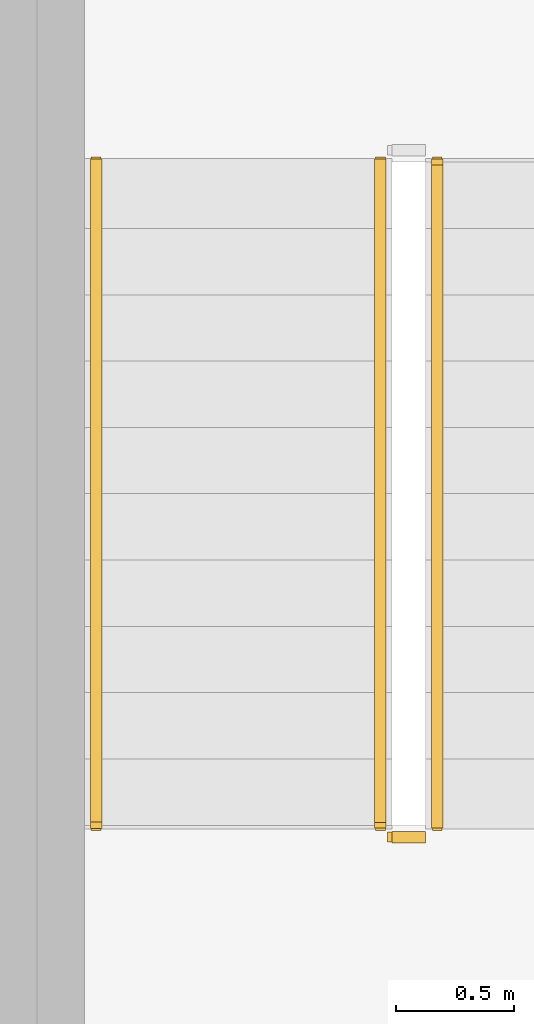
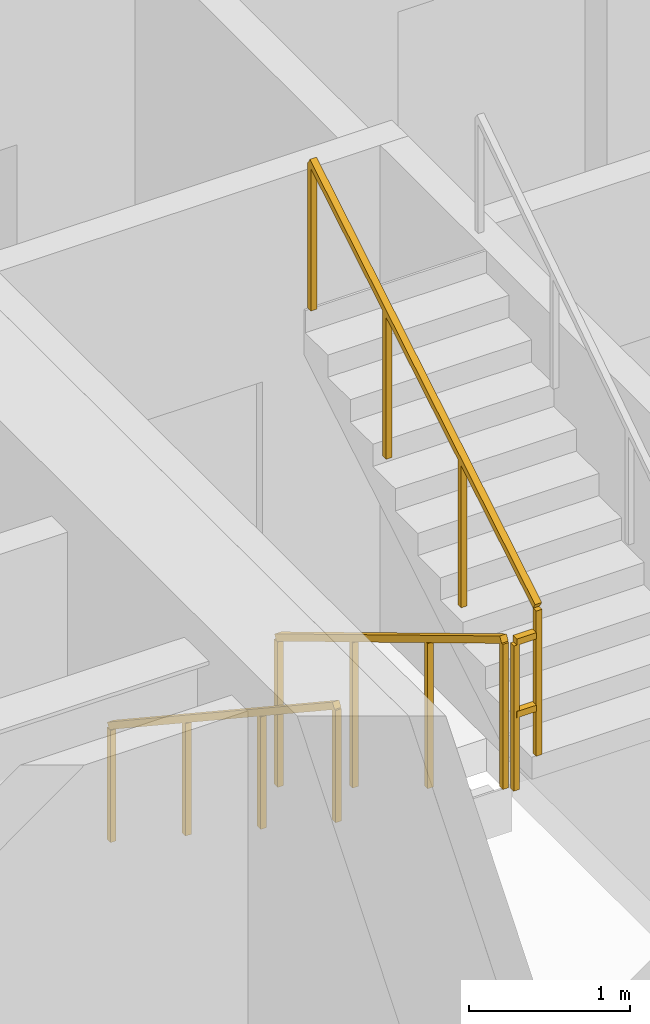
# One storey, part 14 of 18: 4 railings.
"""IFC4 building model written with IfcOpenShell, lengths in metres."""

from ifc_helpers import new_model, si_unit, derived_unit, direction, frame, origin, origin_2d, place, context, subcontext, project, spatial, rectangle, extrude, material, type_object, element, save


model = new_model("IFC4")

# Units and contexts
model_context = context("Model", 3, precision=1e-05, world=origin(), true_north=direction((0.0, 1.0)))
body_context = subcontext(model_context, "Body", "Model", "MODEL_VIEW")
ifc_project = project(units=[si_unit("LENGTHUNIT", "METRE"), si_unit("AREAUNIT", "SQUARE_METRE"), si_unit("VOLUMEUNIT", "CUBIC_METRE"), si_unit("PLANEANGLEUNIT", "RADIAN"), si_unit("MASSUNIT", "GRAM", prefix="KILO"), si_unit("THERMODYNAMICTEMPERATUREUNIT", "KELVIN"), si_unit("POWERUNIT", "WATT"), derived_unit("THERMALTRANSMITTANCEUNIT", [(si_unit("POWERUNIT", "WATT"), 1), (si_unit("AREAUNIT", "SQUARE_METRE"), -1), (si_unit("THERMODYNAMICTEMPERATUREUNIT", "KELVIN"), -1)])], contexts=[model_context])

# Site, building, storey
site_placement = place(None, origin())
site = spatial("IfcSite", under=ifc_project, at=site_placement, CompositionType="ELEMENT")
building_placement = place(site_placement, origin())
building = spatial("IfcBuilding", under=site, at=building_placement, Name="Zahravan Archway Hotel and Residences", CompositionType="ELEMENT")
storey_placement = place(building_placement, frame((0.0, 0.0, 50.89990234375)))
storey = spatial("IfcBuildingStorey", under=building, at=storey_placement, Name="L11", CompositionType="ELEMENT", Elevation=50.89990234375)

# Railings
ifc_material_1 = material(Name="Painted Tubular Steel", Category="steel")
railing_type_1 = type_object("IfcRailingType", Name="RL-STG-1150", PredefinedType="GUARDRAIL", material=ifc_material_1)
railing_1_placement = place(storey_placement, frame((36.550048828125, 9.72998046875, 0.168212890625)))
element("IfcRailing", 1, at=railing_1_placement, inside=storey, type_object=railing_type_1, Name="L11 ST-A1 stair guard 1", PredefinedType="GUARDRAIL", context=body_context, shape_type="SweptSolid", body=[
    extrude(rectangle(XDim=0.048095703125, YDim=0.048095703125, at=origin_2d()), frame((0.0, 0.0, 1.1259765625), z_axis=(0.0, -0.857242210791, 0.514913383045), x_axis=(1.0, 0.0, 0.0)), (0.0, 0.0, 1.0), 3.266357421875),
    extrude(rectangle(XDim=0.0419921875, YDim=0.0419921875, at=origin_2d()), origin(), (0.0, 0.0, 1.0), 1.101806640625),
    extrude(rectangle(XDim=0.0419921875, YDim=0.0419921875, at=origin_2d()), frame((0.0, -0.933349609375, 0.560546875)), (0.0, 0.0, 1.0), 1.101806640625),
    extrude(rectangle(XDim=0.0419921875, YDim=0.0419921875, at=origin_2d()), frame((0.0, -1.86669921875, 1.121337890625)), (0.0, 0.0, 1.0), 1.101806640625),
    extrude(rectangle(XDim=0.0419921875, YDim=0.0419921875, at=origin_2d()), frame((0.0, -2.800048828125, 1.681884765625)), (0.0, 0.0, 1.0), 1.101806640625),
])
railing_2_placement = place(storey_placement, frame((36.60009765625, 6.8798828125, 1.85009765625)))
element("IfcRailing", 2, at=railing_2_placement, inside=storey, type_object=railing_type_1, Name="L11 ST-A1 stair guard 2", PredefinedType="GUARDRAIL", context=body_context, shape_type="SweptSolid", body=[
    extrude(rectangle(XDim=0.048095703125, YDim=0.048095703125, at=origin_2d()), frame((0.0, 0.0, 1.1259765625), z_axis=(1.0, 0.0, 0.0), x_axis=(0.0, 1.0, 0.0)), (0.0, 0.0, 1.0), 0.139892578125),
    extrude(rectangle(XDim=0.048095703125, YDim=0.048095703125, at=origin_2d()), frame((0.0, 0.0, 0.574951171875), z_axis=(1.0, 0.0, 0.0), x_axis=(0.0, 1.0, 0.0)), (0.0, 0.0, 1.0), 0.139892578125),
    extrude(rectangle(XDim=0.0419921875, YDim=0.0419921875, at=origin_2d()), origin(), (0.0, 0.0, 1.0), 1.101806640625),
])
railing_3_placement = place(storey_placement, frame((36.7900390625, 6.929931640625, 2.018310546875)))
element("IfcRailing", 3, at=railing_3_placement, inside=storey, type_object=railing_type_1, Name="L11 ST-A1 stair guard 3", PredefinedType="GUARDRAIL", context=body_context, shape_type="SweptSolid", body=[
    extrude(rectangle(XDim=0.048095703125, YDim=0.048095703125, at=origin_2d()), frame((0.0, 0.0, 1.1259765625), z_axis=(0.0, 0.857242210791, 0.514913383045), x_axis=(-1.0, 0.0, 0.0)), (0.0, 0.0, 1.0), 3.266357421875),
    extrude(rectangle(XDim=0.0419921875, YDim=0.0419921875, at=origin_2d()), origin(), (0.0, 0.0, 1.0), 1.101806640625),
    extrude(rectangle(XDim=0.0419921875, YDim=0.0419921875, at=origin_2d()), frame((0.0, 0.933349609375, 0.560546875)), (0.0, 0.0, 1.0), 1.101806640625),
    extrude(rectangle(XDim=0.0419921875, YDim=0.0419921875, at=origin_2d()), frame((0.0, 1.86669921875, 1.121337890625)), (0.0, 0.0, 1.0), 1.101806640625),
    extrude(rectangle(XDim=0.0419921875, YDim=0.0419921875, at=origin_2d()), frame((0.0, 2.800048828125, 1.681884765625)), (0.0, 0.0, 1.0), 1.101806640625),
])
ifc_material_2 = material(Name="Brushed Stainless Steel", Category="steel")
railing_type_2 = type_object("IfcRailingType", Name="RL-STH-900", PredefinedType="HANDRAIL", material=ifc_material_2)
railing_4_placement = place(storey_placement, frame((35.35009765625, 9.72998046875, 0.168212890625)))
element("IfcRailing", 4, at=railing_4_placement, inside=storey, type_object=railing_type_2, Name="L11 ST-A1 stair handrail 1", PredefinedType="HANDRAIL", context=body_context, shape_type="SweptSolid", body=[
    extrude(rectangle(XDim=0.048095703125, YDim=0.048095703125, at=origin_2d()), frame((0.0, 0.0, 0.8759765625), z_axis=(0.0, -0.834326358476, 0.551270829586), x_axis=(1.0, 0.0, 0.0)), (0.0, 0.0, 1.0), 3.35595703125),
    extrude(rectangle(XDim=0.0419921875, YDim=0.0419921875, at=origin_2d()), origin(), (0.0, 0.0, 1.0), 0.851806640625),
    extrude(rectangle(XDim=0.0419921875, YDim=0.0419921875, at=origin_2d()), frame((0.0, -0.933349609375, 0.61669921875)), (0.0, 0.0, 1.0), 0.851806640625),
    extrude(rectangle(XDim=0.0419921875, YDim=0.0419921875, at=origin_2d()), frame((0.0, -1.86669921875, 1.2333984375)), (0.0, 0.0, 1.0), 0.851806640625),
    extrude(rectangle(XDim=0.0419921875, YDim=0.0419921875, at=origin_2d()), frame((0.0, -2.800048828125, 1.85009765625)), (0.0, 0.0, 1.0), 0.851806640625),
])

save(model, "model.ifc")
